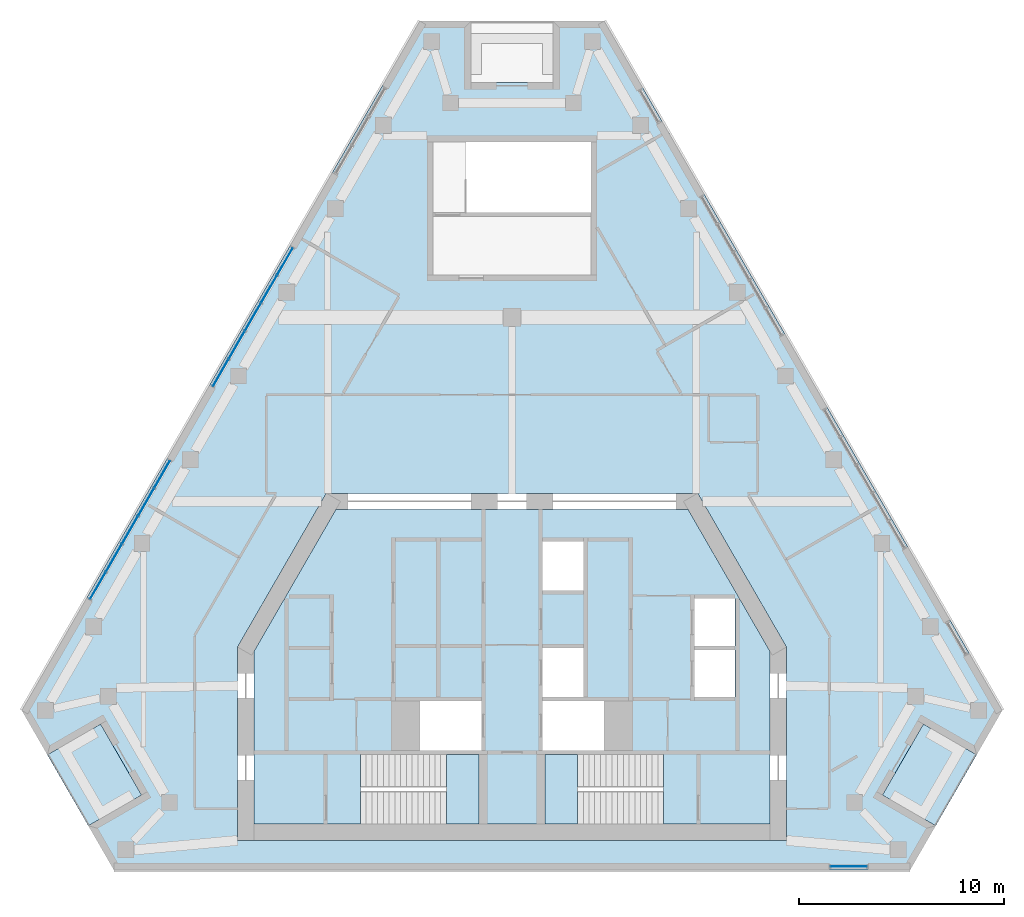
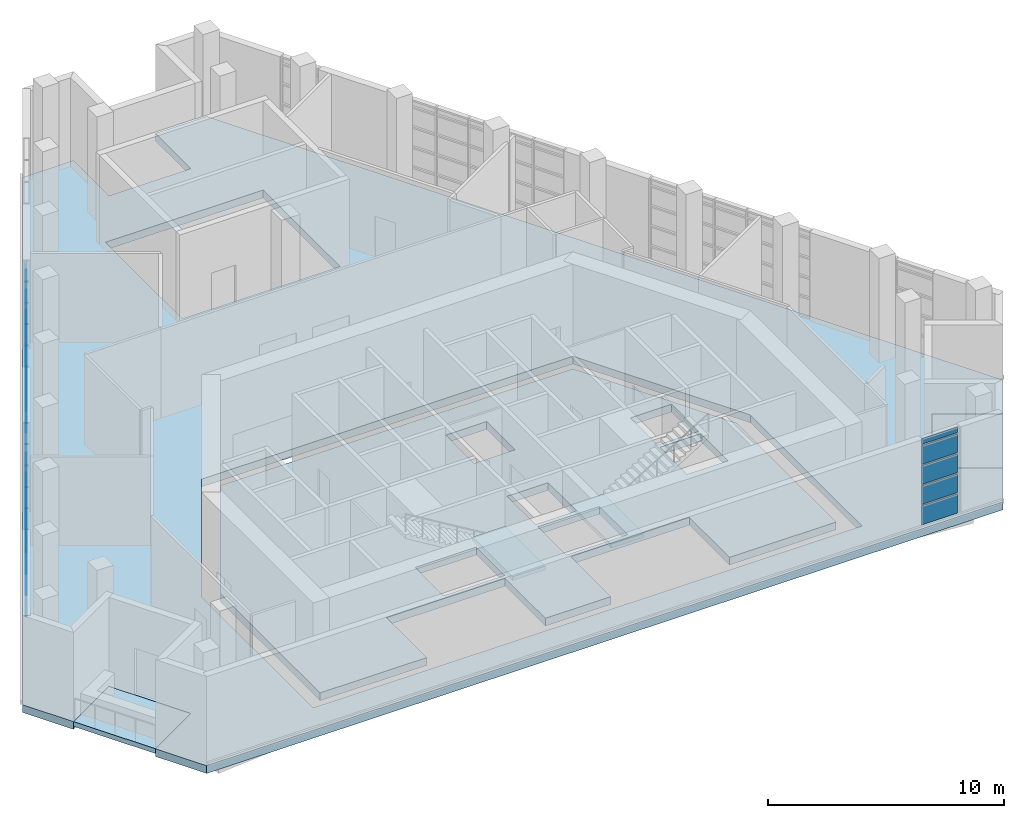
# One storey, part 7 of 13: 55 plates, 6 slabs, 5 elements without a shape of their own.
"""IFC4 building model written with IfcOpenShell, lengths in metres."""

from ifc_helpers import new_model, si_unit, direction, frame, origin, origin_2d, place, context, subcontext, project, spatial, polyline, rectangle, outline, extrude, material, layer, layer_set, type_object, element, aggregate, save


model = new_model("IFC4")

# Units and contexts
model_context = context("Model", 3, precision=1e-05, world=origin(), true_north=direction((0.0, 1.0)))
body_context = subcontext(model_context, "Body", "Model", "MODEL_VIEW")
ifc_project = project(units=[si_unit("LENGTHUNIT", "METRE"), si_unit("AREAUNIT", "SQUARE_METRE"), si_unit("VOLUMEUNIT", "CUBIC_METRE"), si_unit("PLANEANGLEUNIT", "RADIAN"), si_unit("MASSUNIT", "GRAM", prefix="KILO")], contexts=[model_context])

# Site, building, storey
site_placement = place(None, origin())
site = spatial("IfcSite", under=ifc_project, at=site_placement, CompositionType="ELEMENT")
building_placement = place(site_placement, origin())
building = spatial("IfcBuilding", under=site, at=building_placement, Name="Fogline Exchange Tower", CompositionType="ELEMENT")
storey_placement = place(building_placement, frame((0.0, 0.0, 339.300048828125)))
storey = spatial("IfcBuildingStorey", under=building, at=storey_placement, Name="L77", CompositionType="ELEMENT", Elevation=339.300048828125)

# Curtain wall, plates
ifc_material_1 = material(Name="Aluminium and glass", Category="aluminium")
curtain_wall_type = type_object("IfcCurtainWallType", Name="CW5", PredefinedType="NOTDEFINED", material=ifc_material_1)
curtain_wall_1_placement = place(storey_placement, origin())
curtain_wall_1 = element("IfcCurtainWall", 1, at=curtain_wall_1_placement, inside=storey, type_object=curtain_wall_type, Name="CW5 L77 S run 1", PredefinedType="NOTDEFINED")
ifc_material_2 = material(Name="Glass", Category="glass")
ifc_layer_1 = layer(ifc_material_2, 0.033935546875)
ifc_layer_set_1 = layer_set([ifc_layer_1], Name="CW5-P")
plate_type = type_object("IfcPlateType", Name="CW5-P", PredefinedType="CURTAIN_PANEL", material=ifc_layer_set_1)
plate_1_placement = place(storey_placement, frame((16.4423828125, 0.169921875, 0.080078125), z_axis=(0.0, 0.0, 1.0), x_axis=(1.0, 0.0, 0.0)))
plate_1 = element("IfcPlate", 2, at=plate_1_placement, type_object=plate_type, Name="CW5-T25-01 panel 1.1", PredefinedType="CURTAIN_PANEL", context=body_context, shape_type="SweptSolid", body=[
    extrude(rectangle(XDim=1.7548828125, YDim=0.033935546875, at=origin_2d()), origin(), (0.0, 0.0, 1.0), 0.97998046875),
])
plate_2_placement = place(storey_placement, frame((16.4423828125, 0.169921875, 1.14013671875), z_axis=(0.0, 0.0, 1.0), x_axis=(1.0, 0.0, 0.0)))
plate_2 = element("IfcPlate", 3, at=plate_2_placement, type_object=plate_type, Name="CW5-T25-01 panel 1.2", PredefinedType="CURTAIN_PANEL", context=body_context, shape_type="SweptSolid", body=[
    extrude(rectangle(XDim=1.7548828125, YDim=0.033935546875, at=origin_2d()), origin(), (0.0, 0.0, 1.0), 0.953369140625),
])
plate_3_placement = place(storey_placement, frame((16.4423828125, 0.169921875, 2.17333984375), z_axis=(0.0, 0.0, 1.0), x_axis=(1.0, 0.0, 0.0)))
plate_3 = element("IfcPlate", 4, at=plate_3_placement, type_object=plate_type, Name="CW5-T25-01 panel 1.3", PredefinedType="CURTAIN_PANEL", context=body_context, shape_type="SweptSolid", body=[
    extrude(rectangle(XDim=1.7548828125, YDim=0.033935546875, at=origin_2d()), origin(), (0.0, 0.0, 1.0), 0.953369140625),
])
plate_4_placement = place(storey_placement, frame((16.4423828125, 0.169921875, 3.20654296875), z_axis=(0.0, 0.0, 1.0), x_axis=(1.0, 0.0, 0.0)))
plate_4 = element("IfcPlate", 5, at=plate_4_placement, type_object=plate_type, Name="CW5-T25-01 panel 1.4", PredefinedType="CURTAIN_PANEL", context=body_context, shape_type="SweptSolid", body=[
    extrude(rectangle(XDim=1.7548828125, YDim=0.033935546875, at=origin_2d()), origin(), (0.0, 0.0, 1.0), 0.953369140625),
])
plate_5_placement = place(storey_placement, frame((16.4423828125, 0.169921875, 4.23974609375), z_axis=(0.0, 0.0, 1.0), x_axis=(1.0, 0.0, 0.0)))
plate_5 = element("IfcPlate", 6, at=plate_5_placement, type_object=plate_type, Name="CW5-T25-01 panel 1.5", PredefinedType="CURTAIN_PANEL", context=body_context, shape_type="SweptSolid", body=[
    extrude(rectangle(XDim=1.7548828125, YDim=0.033935546875, at=origin_2d()), origin(), (0.0, 0.0, 1.0), 0.280029296875),
])
aggregate(curtain_wall_1, [plate_1, plate_2, plate_3, plate_4, plate_5])

curtain_wall_2_placement = place(storey_placement, origin())
curtain_wall_2 = element("IfcCurtainWall", 7, at=curtain_wall_2_placement, inside=storey, type_object=curtain_wall_type, Name="CW5 L77 W run 2", PredefinedType="NOTDEFINED")
plate_6_placement = place(storey_placement, frame((-11.081298828125, 29.71728515625, 0.080078125), z_axis=(0.0, 0.0, 1.0), x_axis=(-0.500000016959, -0.866025393993, 0.0)))
plate_6 = element("IfcPlate", 8, at=plate_6_placement, type_object=plate_type, Name="CW5-T25-07 panel 1.1", PredefinedType="CURTAIN_PANEL", context=body_context, shape_type="SweptSolid", body=[
    extrude(rectangle(XDim=1.4794921875, YDim=0.033935546875, at=origin_2d()), origin(), (0.0, 0.0, 1.0), 0.97998046875),
])
plate_7_placement = place(storey_placement, frame((-11.081298828125, 29.71728515625, 1.14013671875), z_axis=(0.0, 0.0, 1.0), x_axis=(-0.500000016959, -0.866025393993, 0.0)))
plate_7 = element("IfcPlate", 9, at=plate_7_placement, type_object=plate_type, Name="CW5-T25-07 panel 1.2", PredefinedType="CURTAIN_PANEL", context=body_context, shape_type="SweptSolid", body=[
    extrude(rectangle(XDim=1.4794921875, YDim=0.033935546875, at=origin_2d()), origin(), (0.0, 0.0, 1.0), 0.953369140625),
])
plate_8_placement = place(storey_placement, frame((-11.081298828125, 29.71728515625, 2.17333984375), z_axis=(0.0, 0.0, 1.0), x_axis=(-0.500000016959, -0.866025393993, 0.0)))
plate_8 = element("IfcPlate", 10, at=plate_8_placement, type_object=plate_type, Name="CW5-T25-07 panel 1.3", PredefinedType="CURTAIN_PANEL", context=body_context, shape_type="SweptSolid", body=[
    extrude(rectangle(XDim=1.4794921875, YDim=0.033935546875, at=origin_2d()), origin(), (0.0, 0.0, 1.0), 0.953369140625),
])
plate_9_placement = place(storey_placement, frame((-11.081298828125, 29.71728515625, 3.20654296875), z_axis=(0.0, 0.0, 1.0), x_axis=(-0.500000016959, -0.866025393993, 0.0)))
plate_9 = element("IfcPlate", 11, at=plate_9_placement, type_object=plate_type, Name="CW5-T25-07 panel 1.4", PredefinedType="CURTAIN_PANEL", context=body_context, shape_type="SweptSolid", body=[
    extrude(rectangle(XDim=1.4794921875, YDim=0.033935546875, at=origin_2d()), origin(), (0.0, 0.0, 1.0), 0.953369140625),
])
plate_10_placement = place(storey_placement, frame((-11.081298828125, 29.71728515625, 4.23974609375), z_axis=(0.0, 0.0, 1.0), x_axis=(-0.500000016959, -0.866025393993, 0.0)))
plate_10 = element("IfcPlate", 12, at=plate_10_placement, type_object=plate_type, Name="CW5-T25-07 panel 1.5", PredefinedType="CURTAIN_PANEL", context=body_context, shape_type="SweptSolid", body=[
    extrude(rectangle(XDim=1.4794921875, YDim=0.033935546875, at=origin_2d()), origin(), (0.0, 0.0, 1.0), 0.280029296875),
])
plate_11_placement = place(storey_placement, frame((-11.86181640625, 28.36572265625, 0.080078125), z_axis=(0.0, 0.0, 1.0), x_axis=(-0.500000016959, -0.866025393993, 0.0)))
plate_11 = element("IfcPlate", 13, at=plate_11_placement, type_object=plate_type, Name="CW5-T25-07 panel 2.1", PredefinedType="CURTAIN_PANEL", context=body_context, shape_type="SweptSolid", body=[
    extrude(rectangle(XDim=1.511962890625, YDim=0.033935546875, at=origin_2d()), origin(), (0.0, 0.0, 1.0), 0.97998046875),
])
plate_12_placement = place(storey_placement, frame((-11.86181640625, 28.36572265625, 1.14013671875), z_axis=(0.0, 0.0, 1.0), x_axis=(-0.500000016959, -0.866025393993, 0.0)))
plate_12 = element("IfcPlate", 14, at=plate_12_placement, type_object=plate_type, Name="CW5-T25-07 panel 2.2", PredefinedType="CURTAIN_PANEL", context=body_context, shape_type="SweptSolid", body=[
    extrude(rectangle(XDim=1.511962890625, YDim=0.033935546875, at=origin_2d()), origin(), (0.0, 0.0, 1.0), 0.953369140625),
])
plate_13_placement = place(storey_placement, frame((-11.86181640625, 28.36572265625, 2.17333984375), z_axis=(0.0, 0.0, 1.0), x_axis=(-0.500000016959, -0.866025393993, 0.0)))
plate_13 = element("IfcPlate", 15, at=plate_13_placement, type_object=plate_type, Name="CW5-T25-07 panel 2.3", PredefinedType="CURTAIN_PANEL", context=body_context, shape_type="SweptSolid", body=[
    extrude(rectangle(XDim=1.511962890625, YDim=0.033935546875, at=origin_2d()), origin(), (0.0, 0.0, 1.0), 0.953369140625),
])
plate_14_placement = place(storey_placement, frame((-11.86181640625, 28.36572265625, 3.20654296875), z_axis=(0.0, 0.0, 1.0), x_axis=(-0.500000016959, -0.866025393993, 0.0)))
plate_14 = element("IfcPlate", 16, at=plate_14_placement, type_object=plate_type, Name="CW5-T25-07 panel 2.4", PredefinedType="CURTAIN_PANEL", context=body_context, shape_type="SweptSolid", body=[
    extrude(rectangle(XDim=1.511962890625, YDim=0.033935546875, at=origin_2d()), origin(), (0.0, 0.0, 1.0), 0.953369140625),
])
plate_15_placement = place(storey_placement, frame((-11.86181640625, 28.36572265625, 4.23974609375), z_axis=(0.0, 0.0, 1.0), x_axis=(-0.500000016959, -0.866025393993, 0.0)))
plate_15 = element("IfcPlate", 17, at=plate_15_placement, type_object=plate_type, Name="CW5-T25-07 panel 2.5", PredefinedType="CURTAIN_PANEL", context=body_context, shape_type="SweptSolid", body=[
    extrude(rectangle(XDim=1.511962890625, YDim=0.033935546875, at=origin_2d()), origin(), (0.0, 0.0, 1.0), 0.280029296875),
])
plate_16_placement = place(storey_placement, frame((-12.650390625, 27.0, 0.080078125), z_axis=(0.0, 0.0, 1.0), x_axis=(-0.500000016959, -0.866025393993, 0.0)))
plate_16 = element("IfcPlate", 18, at=plate_16_placement, type_object=plate_type, Name="CW5-T25-07 panel 3.1", PredefinedType="CURTAIN_PANEL", context=body_context, shape_type="SweptSolid", body=[
    extrude(rectangle(XDim=1.511962890625, YDim=0.033935546875, at=origin_2d()), origin(), (0.0, 0.0, 1.0), 0.97998046875),
])
plate_17_placement = place(storey_placement, frame((-12.650390625, 27.0, 1.14013671875), z_axis=(0.0, 0.0, 1.0), x_axis=(-0.500000016959, -0.866025393993, 0.0)))
plate_17 = element("IfcPlate", 19, at=plate_17_placement, type_object=plate_type, Name="CW5-T25-07 panel 3.2", PredefinedType="CURTAIN_PANEL", context=body_context, shape_type="SweptSolid", body=[
    extrude(rectangle(XDim=1.511962890625, YDim=0.033935546875, at=origin_2d()), origin(), (0.0, 0.0, 1.0), 0.953369140625),
])
plate_18_placement = place(storey_placement, frame((-12.650390625, 27.0, 2.17333984375), z_axis=(0.0, 0.0, 1.0), x_axis=(-0.500000016959, -0.866025393993, 0.0)))
plate_18 = element("IfcPlate", 20, at=plate_18_placement, type_object=plate_type, Name="CW5-T25-07 panel 3.3", PredefinedType="CURTAIN_PANEL", context=body_context, shape_type="SweptSolid", body=[
    extrude(rectangle(XDim=1.511962890625, YDim=0.033935546875, at=origin_2d()), origin(), (0.0, 0.0, 1.0), 0.953369140625),
])
plate_19_placement = place(storey_placement, frame((-12.650390625, 27.0, 3.20654296875), z_axis=(0.0, 0.0, 1.0), x_axis=(-0.500000016959, -0.866025393993, 0.0)))
plate_19 = element("IfcPlate", 21, at=plate_19_placement, type_object=plate_type, Name="CW5-T25-07 panel 3.4", PredefinedType="CURTAIN_PANEL", context=body_context, shape_type="SweptSolid", body=[
    extrude(rectangle(XDim=1.511962890625, YDim=0.033935546875, at=origin_2d()), origin(), (0.0, 0.0, 1.0), 0.953369140625),
])
plate_20_placement = place(storey_placement, frame((-12.650390625, 27.0, 4.23974609375), z_axis=(0.0, 0.0, 1.0), x_axis=(-0.500000016959, -0.866025393993, 0.0)))
plate_20 = element("IfcPlate", 22, at=plate_20_placement, type_object=plate_type, Name="CW5-T25-07 panel 3.5", PredefinedType="CURTAIN_PANEL", context=body_context, shape_type="SweptSolid", body=[
    extrude(rectangle(XDim=1.511962890625, YDim=0.033935546875, at=origin_2d()), origin(), (0.0, 0.0, 1.0), 0.280029296875),
])
plate_21_placement = place(storey_placement, frame((-13.438720703125, 25.63427734375, 0.080078125), z_axis=(0.0, 0.0, 1.0), x_axis=(-0.500000016959, -0.866025393993, 0.0)))
plate_21 = element("IfcPlate", 23, at=plate_21_placement, type_object=plate_type, Name="CW5-T25-07 panel 4.1", PredefinedType="CURTAIN_PANEL", context=body_context, shape_type="SweptSolid", body=[
    extrude(rectangle(XDim=1.511962890625, YDim=0.033935546875, at=origin_2d()), origin(), (0.0, 0.0, 1.0), 0.97998046875),
])
plate_22_placement = place(storey_placement, frame((-13.438720703125, 25.63427734375, 1.14013671875), z_axis=(0.0, 0.0, 1.0), x_axis=(-0.500000016959, -0.866025393993, 0.0)))
plate_22 = element("IfcPlate", 24, at=plate_22_placement, type_object=plate_type, Name="CW5-T25-07 panel 4.2", PredefinedType="CURTAIN_PANEL", context=body_context, shape_type="SweptSolid", body=[
    extrude(rectangle(XDim=1.511962890625, YDim=0.033935546875, at=origin_2d()), origin(), (0.0, 0.0, 1.0), 0.953369140625),
])
plate_23_placement = place(storey_placement, frame((-13.438720703125, 25.63427734375, 2.17333984375), z_axis=(0.0, 0.0, 1.0), x_axis=(-0.500000016959, -0.866025393993, 0.0)))
plate_23 = element("IfcPlate", 25, at=plate_23_placement, type_object=plate_type, Name="CW5-T25-07 panel 4.3", PredefinedType="CURTAIN_PANEL", context=body_context, shape_type="SweptSolid", body=[
    extrude(rectangle(XDim=1.511962890625, YDim=0.033935546875, at=origin_2d()), origin(), (0.0, 0.0, 1.0), 0.953369140625),
])
plate_24_placement = place(storey_placement, frame((-13.438720703125, 25.63427734375, 3.20654296875), z_axis=(0.0, 0.0, 1.0), x_axis=(-0.500000016959, -0.866025393993, 0.0)))
plate_24 = element("IfcPlate", 26, at=plate_24_placement, type_object=plate_type, Name="CW5-T25-07 panel 4.4", PredefinedType="CURTAIN_PANEL", context=body_context, shape_type="SweptSolid", body=[
    extrude(rectangle(XDim=1.511962890625, YDim=0.033935546875, at=origin_2d()), origin(), (0.0, 0.0, 1.0), 0.953369140625),
])
plate_25_placement = place(storey_placement, frame((-13.438720703125, 25.63427734375, 4.23974609375), z_axis=(0.0, 0.0, 1.0), x_axis=(-0.500000016959, -0.866025393993, 0.0)))
plate_25 = element("IfcPlate", 27, at=plate_25_placement, type_object=plate_type, Name="CW5-T25-07 panel 4.5", PredefinedType="CURTAIN_PANEL", context=body_context, shape_type="SweptSolid", body=[
    extrude(rectangle(XDim=1.511962890625, YDim=0.033935546875, at=origin_2d()), origin(), (0.0, 0.0, 1.0), 0.280029296875),
])
plate_26_placement = place(storey_placement, frame((-14.21923828125, 24.282470703125, 0.080078125), z_axis=(0.0, 0.0, 1.0), x_axis=(-0.500000016959, -0.866025393993, 0.0)))
plate_26 = element("IfcPlate", 28, at=plate_26_placement, type_object=plate_type, Name="CW5-T25-07 panel 5.1", PredefinedType="CURTAIN_PANEL", context=body_context, shape_type="SweptSolid", body=[
    extrude(rectangle(XDim=1.4794921875, YDim=0.033935546875, at=origin_2d()), origin(), (0.0, 0.0, 1.0), 0.97998046875),
])
plate_27_placement = place(storey_placement, frame((-14.21923828125, 24.282470703125, 1.14013671875), z_axis=(0.0, 0.0, 1.0), x_axis=(-0.500000016959, -0.866025393993, 0.0)))
plate_27 = element("IfcPlate", 29, at=plate_27_placement, type_object=plate_type, Name="CW5-T25-07 panel 5.2", PredefinedType="CURTAIN_PANEL", context=body_context, shape_type="SweptSolid", body=[
    extrude(rectangle(XDim=1.4794921875, YDim=0.033935546875, at=origin_2d()), origin(), (0.0, 0.0, 1.0), 0.953369140625),
])
plate_28_placement = place(storey_placement, frame((-14.21923828125, 24.282470703125, 2.17333984375), z_axis=(0.0, 0.0, 1.0), x_axis=(-0.500000016959, -0.866025393993, 0.0)))
plate_28 = element("IfcPlate", 30, at=plate_28_placement, type_object=plate_type, Name="CW5-T25-07 panel 5.3", PredefinedType="CURTAIN_PANEL", context=body_context, shape_type="SweptSolid", body=[
    extrude(rectangle(XDim=1.4794921875, YDim=0.033935546875, at=origin_2d()), origin(), (0.0, 0.0, 1.0), 0.953369140625),
])
plate_29_placement = place(storey_placement, frame((-14.21923828125, 24.282470703125, 3.20654296875), z_axis=(0.0, 0.0, 1.0), x_axis=(-0.500000016959, -0.866025393993, 0.0)))
plate_29 = element("IfcPlate", 31, at=plate_29_placement, type_object=plate_type, Name="CW5-T25-07 panel 5.4", PredefinedType="CURTAIN_PANEL", context=body_context, shape_type="SweptSolid", body=[
    extrude(rectangle(XDim=1.4794921875, YDim=0.033935546875, at=origin_2d()), origin(), (0.0, 0.0, 1.0), 0.953369140625),
])
plate_30_placement = place(storey_placement, frame((-14.21923828125, 24.282470703125, 4.23974609375), z_axis=(0.0, 0.0, 1.0), x_axis=(-0.500000016959, -0.866025393993, 0.0)))
plate_30 = element("IfcPlate", 32, at=plate_30_placement, type_object=plate_type, Name="CW5-T25-07 panel 5.5", PredefinedType="CURTAIN_PANEL", context=body_context, shape_type="SweptSolid", body=[
    extrude(rectangle(XDim=1.4794921875, YDim=0.033935546875, at=origin_2d()), origin(), (0.0, 0.0, 1.0), 0.280029296875),
])
aggregate(curtain_wall_2, [plate_6, plate_7, plate_8, plate_9, plate_10, plate_11, plate_12, plate_13, plate_14, plate_15, plate_16, plate_17, plate_18, plate_19, plate_20, plate_21, plate_22, plate_23, plate_24, plate_25, plate_26, plate_27, plate_28, plate_29, plate_30])

curtain_wall_3_placement = place(storey_placement, origin())
curtain_wall_3 = element("IfcCurtainWall", 33, at=curtain_wall_3_placement, inside=storey, type_object=curtain_wall_type, Name="CW5 L77 W run 3", PredefinedType="NOTDEFINED")
plate_31_placement = place(storey_placement, frame((-17.081298828125, 19.324951171875, 0.080078125), z_axis=(0.0, 0.0, 1.0), x_axis=(-0.500000016959, -0.866025393993, 0.0)))
plate_31 = element("IfcPlate", 34, at=plate_31_placement, type_object=plate_type, Name="CW5-T25-08 panel 1.1", PredefinedType="CURTAIN_PANEL", context=body_context, shape_type="SweptSolid", body=[
    extrude(rectangle(XDim=1.4794921875, YDim=0.033935546875, at=origin_2d()), origin(), (0.0, 0.0, 1.0), 0.97998046875),
])
plate_32_placement = place(storey_placement, frame((-17.081298828125, 19.324951171875, 1.14013671875), z_axis=(0.0, 0.0, 1.0), x_axis=(-0.500000016959, -0.866025393993, 0.0)))
plate_32 = element("IfcPlate", 35, at=plate_32_placement, type_object=plate_type, Name="CW5-T25-08 panel 1.2", PredefinedType="CURTAIN_PANEL", context=body_context, shape_type="SweptSolid", body=[
    extrude(rectangle(XDim=1.4794921875, YDim=0.033935546875, at=origin_2d()), origin(), (0.0, 0.0, 1.0), 0.953369140625),
])
plate_33_placement = place(storey_placement, frame((-17.081298828125, 19.324951171875, 2.17333984375), z_axis=(0.0, 0.0, 1.0), x_axis=(-0.500000016959, -0.866025393993, 0.0)))
plate_33 = element("IfcPlate", 36, at=plate_33_placement, type_object=plate_type, Name="CW5-T25-08 panel 1.3", PredefinedType="CURTAIN_PANEL", context=body_context, shape_type="SweptSolid", body=[
    extrude(rectangle(XDim=1.4794921875, YDim=0.033935546875, at=origin_2d()), origin(), (0.0, 0.0, 1.0), 0.953369140625),
])
plate_34_placement = place(storey_placement, frame((-17.081298828125, 19.324951171875, 3.20654296875), z_axis=(0.0, 0.0, 1.0), x_axis=(-0.500000016959, -0.866025393993, 0.0)))
plate_34 = element("IfcPlate", 37, at=plate_34_placement, type_object=plate_type, Name="CW5-T25-08 panel 1.4", PredefinedType="CURTAIN_PANEL", context=body_context, shape_type="SweptSolid", body=[
    extrude(rectangle(XDim=1.4794921875, YDim=0.033935546875, at=origin_2d()), origin(), (0.0, 0.0, 1.0), 0.953369140625),
])
plate_35_placement = place(storey_placement, frame((-17.081298828125, 19.324951171875, 4.23974609375), z_axis=(0.0, 0.0, 1.0), x_axis=(-0.500000016959, -0.866025393993, 0.0)))
plate_35 = element("IfcPlate", 38, at=plate_35_placement, type_object=plate_type, Name="CW5-T25-08 panel 1.5", PredefinedType="CURTAIN_PANEL", context=body_context, shape_type="SweptSolid", body=[
    extrude(rectangle(XDim=1.4794921875, YDim=0.033935546875, at=origin_2d()), origin(), (0.0, 0.0, 1.0), 0.280029296875),
])
plate_36_placement = place(storey_placement, frame((-17.86181640625, 17.973388671875, 0.080078125), z_axis=(0.0, 0.0, 1.0), x_axis=(-0.500000016959, -0.866025393993, 0.0)))
plate_36 = element("IfcPlate", 39, at=plate_36_placement, type_object=plate_type, Name="CW5-T25-08 panel 2.1", PredefinedType="CURTAIN_PANEL", context=body_context, shape_type="SweptSolid", body=[
    extrude(rectangle(XDim=1.511962890625, YDim=0.033935546875, at=origin_2d()), origin(), (0.0, 0.0, 1.0), 0.97998046875),
])
plate_37_placement = place(storey_placement, frame((-17.86181640625, 17.973388671875, 1.14013671875), z_axis=(0.0, 0.0, 1.0), x_axis=(-0.500000016959, -0.866025393993, 0.0)))
plate_37 = element("IfcPlate", 40, at=plate_37_placement, type_object=plate_type, Name="CW5-T25-08 panel 2.2", PredefinedType="CURTAIN_PANEL", context=body_context, shape_type="SweptSolid", body=[
    extrude(rectangle(XDim=1.511962890625, YDim=0.033935546875, at=origin_2d()), origin(), (0.0, 0.0, 1.0), 0.953369140625),
])
plate_38_placement = place(storey_placement, frame((-17.86181640625, 17.973388671875, 2.17333984375), z_axis=(0.0, 0.0, 1.0), x_axis=(-0.500000016959, -0.866025393993, 0.0)))
plate_38 = element("IfcPlate", 41, at=plate_38_placement, type_object=plate_type, Name="CW5-T25-08 panel 2.3", PredefinedType="CURTAIN_PANEL", context=body_context, shape_type="SweptSolid", body=[
    extrude(rectangle(XDim=1.511962890625, YDim=0.033935546875, at=origin_2d()), origin(), (0.0, 0.0, 1.0), 0.953369140625),
])
plate_39_placement = place(storey_placement, frame((-17.86181640625, 17.973388671875, 3.20654296875), z_axis=(0.0, 0.0, 1.0), x_axis=(-0.500000016959, -0.866025393993, 0.0)))
plate_39 = element("IfcPlate", 42, at=plate_39_placement, type_object=plate_type, Name="CW5-T25-08 panel 2.4", PredefinedType="CURTAIN_PANEL", context=body_context, shape_type="SweptSolid", body=[
    extrude(rectangle(XDim=1.511962890625, YDim=0.033935546875, at=origin_2d()), origin(), (0.0, 0.0, 1.0), 0.953369140625),
])
plate_40_placement = place(storey_placement, frame((-17.86181640625, 17.973388671875, 4.23974609375), z_axis=(0.0, 0.0, 1.0), x_axis=(-0.500000016959, -0.866025393993, 0.0)))
plate_40 = element("IfcPlate", 43, at=plate_40_placement, type_object=plate_type, Name="CW5-T25-08 panel 2.5", PredefinedType="CURTAIN_PANEL", context=body_context, shape_type="SweptSolid", body=[
    extrude(rectangle(XDim=1.511962890625, YDim=0.033935546875, at=origin_2d()), origin(), (0.0, 0.0, 1.0), 0.280029296875),
])
plate_41_placement = place(storey_placement, frame((-18.650390625, 16.607666015625, 0.080078125), z_axis=(0.0, 0.0, 1.0), x_axis=(-0.500000016959, -0.866025393993, 0.0)))
plate_41 = element("IfcPlate", 44, at=plate_41_placement, type_object=plate_type, Name="CW5-T25-08 panel 3.1", PredefinedType="CURTAIN_PANEL", context=body_context, shape_type="SweptSolid", body=[
    extrude(rectangle(XDim=1.511962890625, YDim=0.033935546875, at=origin_2d()), origin(), (0.0, 0.0, 1.0), 0.97998046875),
])
plate_42_placement = place(storey_placement, frame((-18.650390625, 16.607666015625, 1.14013671875), z_axis=(0.0, 0.0, 1.0), x_axis=(-0.500000016959, -0.866025393993, 0.0)))
plate_42 = element("IfcPlate", 45, at=plate_42_placement, type_object=plate_type, Name="CW5-T25-08 panel 3.2", PredefinedType="CURTAIN_PANEL", context=body_context, shape_type="SweptSolid", body=[
    extrude(rectangle(XDim=1.511962890625, YDim=0.033935546875, at=origin_2d()), origin(), (0.0, 0.0, 1.0), 0.953369140625),
])
plate_43_placement = place(storey_placement, frame((-18.650390625, 16.607666015625, 2.17333984375), z_axis=(0.0, 0.0, 1.0), x_axis=(-0.500000016959, -0.866025393993, 0.0)))
plate_43 = element("IfcPlate", 46, at=plate_43_placement, type_object=plate_type, Name="CW5-T25-08 panel 3.3", PredefinedType="CURTAIN_PANEL", context=body_context, shape_type="SweptSolid", body=[
    extrude(rectangle(XDim=1.511962890625, YDim=0.033935546875, at=origin_2d()), origin(), (0.0, 0.0, 1.0), 0.953369140625),
])
plate_44_placement = place(storey_placement, frame((-18.650390625, 16.607666015625, 3.20654296875), z_axis=(0.0, 0.0, 1.0), x_axis=(-0.500000016959, -0.866025393993, 0.0)))
plate_44 = element("IfcPlate", 47, at=plate_44_placement, type_object=plate_type, Name="CW5-T25-08 panel 3.4", PredefinedType="CURTAIN_PANEL", context=body_context, shape_type="SweptSolid", body=[
    extrude(rectangle(XDim=1.511962890625, YDim=0.033935546875, at=origin_2d()), origin(), (0.0, 0.0, 1.0), 0.953369140625),
])
plate_45_placement = place(storey_placement, frame((-18.650390625, 16.607666015625, 4.23974609375), z_axis=(0.0, 0.0, 1.0), x_axis=(-0.500000016959, -0.866025393993, 0.0)))
plate_45 = element("IfcPlate", 48, at=plate_45_placement, type_object=plate_type, Name="CW5-T25-08 panel 3.5", PredefinedType="CURTAIN_PANEL", context=body_context, shape_type="SweptSolid", body=[
    extrude(rectangle(XDim=1.511962890625, YDim=0.033935546875, at=origin_2d()), origin(), (0.0, 0.0, 1.0), 0.280029296875),
])
plate_46_placement = place(storey_placement, frame((-19.438720703125, 15.241943359375, 0.080078125), z_axis=(0.0, 0.0, 1.0), x_axis=(-0.500000016959, -0.866025393993, 0.0)))
plate_46 = element("IfcPlate", 49, at=plate_46_placement, type_object=plate_type, Name="CW5-T25-08 panel 4.1", PredefinedType="CURTAIN_PANEL", context=body_context, shape_type="SweptSolid", body=[
    extrude(rectangle(XDim=1.511962890625, YDim=0.033935546875, at=origin_2d()), origin(), (0.0, 0.0, 1.0), 0.97998046875),
])
plate_47_placement = place(storey_placement, frame((-19.438720703125, 15.241943359375, 1.14013671875), z_axis=(0.0, 0.0, 1.0), x_axis=(-0.500000016959, -0.866025393993, 0.0)))
plate_47 = element("IfcPlate", 50, at=plate_47_placement, type_object=plate_type, Name="CW5-T25-08 panel 4.2", PredefinedType="CURTAIN_PANEL", context=body_context, shape_type="SweptSolid", body=[
    extrude(rectangle(XDim=1.511962890625, YDim=0.033935546875, at=origin_2d()), origin(), (0.0, 0.0, 1.0), 0.953369140625),
])
plate_48_placement = place(storey_placement, frame((-19.438720703125, 15.241943359375, 2.17333984375), z_axis=(0.0, 0.0, 1.0), x_axis=(-0.500000016959, -0.866025393993, 0.0)))
plate_48 = element("IfcPlate", 51, at=plate_48_placement, type_object=plate_type, Name="CW5-T25-08 panel 4.3", PredefinedType="CURTAIN_PANEL", context=body_context, shape_type="SweptSolid", body=[
    extrude(rectangle(XDim=1.511962890625, YDim=0.033935546875, at=origin_2d()), origin(), (0.0, 0.0, 1.0), 0.953369140625),
])
plate_49_placement = place(storey_placement, frame((-19.438720703125, 15.241943359375, 3.20654296875), z_axis=(0.0, 0.0, 1.0), x_axis=(-0.500000016959, -0.866025393993, 0.0)))
plate_49 = element("IfcPlate", 52, at=plate_49_placement, type_object=plate_type, Name="CW5-T25-08 panel 4.4", PredefinedType="CURTAIN_PANEL", context=body_context, shape_type="SweptSolid", body=[
    extrude(rectangle(XDim=1.511962890625, YDim=0.033935546875, at=origin_2d()), origin(), (0.0, 0.0, 1.0), 0.953369140625),
])
plate_50_placement = place(storey_placement, frame((-19.438720703125, 15.241943359375, 4.23974609375), z_axis=(0.0, 0.0, 1.0), x_axis=(-0.500000016959, -0.866025393993, 0.0)))
plate_50 = element("IfcPlate", 53, at=plate_50_placement, type_object=plate_type, Name="CW5-T25-08 panel 4.5", PredefinedType="CURTAIN_PANEL", context=body_context, shape_type="SweptSolid", body=[
    extrude(rectangle(XDim=1.511962890625, YDim=0.033935546875, at=origin_2d()), origin(), (0.0, 0.0, 1.0), 0.280029296875),
])
plate_51_placement = place(storey_placement, frame((-20.21923828125, 13.890380859375, 0.080078125), z_axis=(0.0, 0.0, 1.0), x_axis=(-0.500000016959, -0.866025393993, 0.0)))
plate_51 = element("IfcPlate", 54, at=plate_51_placement, type_object=plate_type, Name="CW5-T25-08 panel 5.1", PredefinedType="CURTAIN_PANEL", context=body_context, shape_type="SweptSolid", body=[
    extrude(rectangle(XDim=1.4794921875, YDim=0.033935546875, at=origin_2d()), origin(), (0.0, 0.0, 1.0), 0.97998046875),
])
plate_52_placement = place(storey_placement, frame((-20.21923828125, 13.890380859375, 1.14013671875), z_axis=(0.0, 0.0, 1.0), x_axis=(-0.500000016959, -0.866025393993, 0.0)))
plate_52 = element("IfcPlate", 55, at=plate_52_placement, type_object=plate_type, Name="CW5-T25-08 panel 5.2", PredefinedType="CURTAIN_PANEL", context=body_context, shape_type="SweptSolid", body=[
    extrude(rectangle(XDim=1.4794921875, YDim=0.033935546875, at=origin_2d()), origin(), (0.0, 0.0, 1.0), 0.953369140625),
])
plate_53_placement = place(storey_placement, frame((-20.21923828125, 13.890380859375, 2.17333984375), z_axis=(0.0, 0.0, 1.0), x_axis=(-0.500000016959, -0.866025393993, 0.0)))
plate_53 = element("IfcPlate", 56, at=plate_53_placement, type_object=plate_type, Name="CW5-T25-08 panel 5.3", PredefinedType="CURTAIN_PANEL", context=body_context, shape_type="SweptSolid", body=[
    extrude(rectangle(XDim=1.4794921875, YDim=0.033935546875, at=origin_2d()), origin(), (0.0, 0.0, 1.0), 0.953369140625),
])
plate_54_placement = place(storey_placement, frame((-20.21923828125, 13.890380859375, 3.20654296875), z_axis=(0.0, 0.0, 1.0), x_axis=(-0.500000016959, -0.866025393993, 0.0)))
plate_54 = element("IfcPlate", 57, at=plate_54_placement, type_object=plate_type, Name="CW5-T25-08 panel 5.4", PredefinedType="CURTAIN_PANEL", context=body_context, shape_type="SweptSolid", body=[
    extrude(rectangle(XDim=1.4794921875, YDim=0.033935546875, at=origin_2d()), origin(), (0.0, 0.0, 1.0), 0.953369140625),
])
plate_55_placement = place(storey_placement, frame((-20.21923828125, 13.890380859375, 4.23974609375), z_axis=(0.0, 0.0, 1.0), x_axis=(-0.500000016959, -0.866025393993, 0.0)))
plate_55 = element("IfcPlate", 58, at=plate_55_placement, type_object=plate_type, Name="CW5-T25-08 panel 5.5", PredefinedType="CURTAIN_PANEL", context=body_context, shape_type="SweptSolid", body=[
    extrude(rectangle(XDim=1.4794921875, YDim=0.033935546875, at=origin_2d()), origin(), (0.0, 0.0, 1.0), 0.280029296875),
])
aggregate(curtain_wall_3, [plate_31, plate_32, plate_33, plate_34, plate_35, plate_36, plate_37, plate_38, plate_39, plate_40, plate_41, plate_42, plate_43, plate_44, plate_45, plate_46, plate_47, plate_48, plate_49, plate_50, plate_51, plate_52, plate_53, plate_54, plate_55])

# Slabs
ifc_material_3 = material(Name="Concrete C40", Category="concrete")
ifc_layer_2 = layer(ifc_material_3, 0.25)
ifc_layer_set_2 = layer_set([ifc_layer_2], Name="DK1")
slab_type_1 = type_object("IfcSlabType", Name="DK1", PredefinedType="FLOOR", material=ifc_layer_set_2)
slab_1_placement = place(storey_placement, frame((0.0, 0.0, -0.25)))
element("IfcSlab", 59, at=slab_1_placement, inside=storey, type_object=slab_type_1, Name="Balcony L77 SW", PredefinedType="FLOOR", context=body_context, shape_type="SweptSolid", body=[
    extrude(outline(polyline([(-22.68505859375, 5.629150390625), (-20.68505859375, 2.1650390625), (-18.0869140625, 3.6650390625), (-20.0869140625, 7.129150390625), (-22.68505859375, 5.629150390625)])), origin(), (0.0, 0.0, 1.0), 0.25),
])
slab_2_placement = place(storey_placement, frame((0.0, 0.0, -0.25)))
element("IfcSlab", 60, at=slab_2_placement, inside=storey, type_object=slab_type_1, Name="Balcony L77 SE", PredefinedType="FLOOR", context=body_context, shape_type="SweptSolid", body=[
    extrude(outline(polyline([(20.68505859375, 2.1650390625), (22.68505859375, 5.629150390625), (20.0869140625, 7.129150390625), (18.0869140625, 3.6650390625), (20.68505859375, 2.1650390625)])), origin(), (0.0, 0.0, 1.0), 0.25),
])
ifc_layer_3 = layer(ifc_material_3, 0.39990234375)
ifc_layer_set_3 = layer_set([ifc_layer_3], Name="S03")
slab_type_2 = type_object("IfcSlabType", Name="S03", PredefinedType="FLOOR", material=ifc_layer_set_3)
slab_3_placement = place(storey_placement, frame((0.0, 0.0, -0.400146484375)))
element("IfcSlab", 61, at=slab_3_placement, inside=storey, type_object=slab_type_2, Name="SLAB L77", PredefinedType="FLOOR", context=body_context, shape_type="SweptSolid", body=[
    extrude(outline(polyline([(-2.0, 41.456787109375), (-4.5, 41.456787109375), (-23.93505859375, 7.794189453125), (-22.68505859375, 5.629150390625), (-20.0869140625, 7.129150390625), (-18.0869140625, 3.6650390625), (-20.68505859375, 2.1650390625), (-19.43505859375, 0.0), (19.43505859375, 0.0), (20.68505859375, 2.1650390625), (18.0869140625, 3.6650390625), (20.0869140625, 7.129150390625), (22.68505859375, 5.629150390625), (23.93505859375, 7.794189453125), (4.5, 41.456787109375), (2.0, 41.456787109375), (2.0, 38.456787109375), (-2.0, 38.456787109375), (-2.0, 41.456787109375)]), holes=[polyline([(13.39990234375, 10.891845703125), (13.39990234375, 1.449951171875), (-13.39990234375, 1.449951171875), (-13.39990234375, 10.891845703125), (-9.065185546875, 18.39990234375), (9.065185546875, 18.39990234375), (13.39990234375, 10.891845703125)]), polyline([(3.85009765625, 35.556884765625), (3.85009765625, 29.056884765625), (-3.85009765625, 29.056884765625), (-3.85009765625, 35.556884765625), (3.85009765625, 35.556884765625)])]), origin(), (0.0, 0.0, 1.0), 0.400146484375),
])
slab_4_placement = place(storey_placement, frame((0.0, 0.0, -0.400146484375)))
element("IfcSlab", 62, at=slab_4_placement, inside=storey, type_object=slab_type_2, Name="Core floor slab", PredefinedType="FLOOR", context=body_context, shape_type="SweptSolid", body=[
    extrude(outline(polyline([(-12.60009765625, 2.25), (-12.60009765625, 10.677490234375), (-8.603271484375, 17.60009765625), (8.603271484375, 17.60009765625), (12.60009765625, 10.677490234375), (12.60009765625, 2.25), (7.389892578125, 2.25), (7.389892578125, 5.64990234375), (1.60009765625, 5.64990234375), (1.60009765625, 2.25), (-1.60009765625, 2.25), (-1.60009765625, 5.64990234375), (-7.389892578125, 5.64990234375), (-7.389892578125, 2.25), (-12.60009765625, 2.25)]), holes=[polyline([(-4.5, 8.25), (-4.5, 5.85009765625), (-1.5, 5.85009765625), (-1.5, 8.25), (-4.5, 8.25)]), polyline([(1.5, 8.25), (1.5, 5.85009765625), (4.5, 5.85009765625), (4.5, 8.25), (1.5, 8.25)]), polyline([(8.89990234375, 10.75), (8.89990234375, 8.449951171875), (10.89990234375, 8.449951171875), (10.89990234375, 10.75), (8.89990234375, 10.75)]), polyline([(1.5, 10.85009765625), (1.5, 8.449951171875), (3.5, 8.449951171875), (3.5, 10.85009765625), (1.5, 10.85009765625)]), polyline([(8.89990234375, 13.25), (8.89990234375, 10.949951171875), (10.89990234375, 10.949951171875), (10.89990234375, 13.25), (8.89990234375, 13.25)]), polyline([(1.5, 16.050048828125), (1.5, 13.64990234375), (3.5, 13.64990234375), (3.5, 16.050048828125), (1.5, 16.050048828125)])]), origin(), (0.0, 0.0, 1.0), 0.400146484375),
])

# Stair, slab
stair_type = type_object("IfcStairType", Name="STR32-1688", PredefinedType="HALF_TURN_STAIR", material=ifc_material_3)
stair_1_placement = place(storey_placement, origin())
stair_1 = element("IfcStair", 63, at=stair_1_placement, inside=storey, type_object=stair_type, Name="Stair ST1", PredefinedType="HALF_TURN_STAIR")
ifc_layer_4 = layer(ifc_material_3, 0.199951171875)
ifc_layer_set_4 = layer_set([ifc_layer_4], Name="SL200")
slab_type_3 = type_object("IfcSlabType", Name="SL200", PredefinedType="LANDING", material=ifc_layer_set_4)
slab_5_placement = place(storey_placement, frame((0.0, 0.0, 2.5)))
slab_5 = element("IfcSlab", 64, at=slab_5_placement, type_object=slab_type_3, Name="ST1 landing 1", PredefinedType="LANDING", context=body_context, shape_type="SweptSolid", body=[
    extrude(outline(polyline([(-3.199951171875, 2.25), (-1.60009765625, 2.25), (-1.60009765625, 5.64990234375), (-3.199951171875, 5.64990234375), (-3.199951171875, 2.25)])), origin(), (0.0, 0.0, 1.0), 0.199951171875),
])
aggregate(stair_1, [slab_5])

stair_2_placement = place(storey_placement, origin())
stair_2 = element("IfcStair", 65, at=stair_2_placement, inside=storey, type_object=stair_type, Name="Stair ST2", PredefinedType="HALF_TURN_STAIR")
slab_6_placement = place(storey_placement, frame((0.0, 0.0, 2.5)))
slab_6 = element("IfcSlab", 66, at=slab_6_placement, type_object=slab_type_3, Name="ST2 landing 1", PredefinedType="LANDING", context=body_context, shape_type="SweptSolid", body=[
    extrude(outline(polyline([(1.60009765625, 2.25), (3.199951171875, 2.25), (3.199951171875, 5.64990234375), (1.60009765625, 5.64990234375), (1.60009765625, 2.25)])), origin(), (0.0, 0.0, 1.0), 0.199951171875),
])
aggregate(stair_2, [slab_6])

save(model, "model.ifc")
